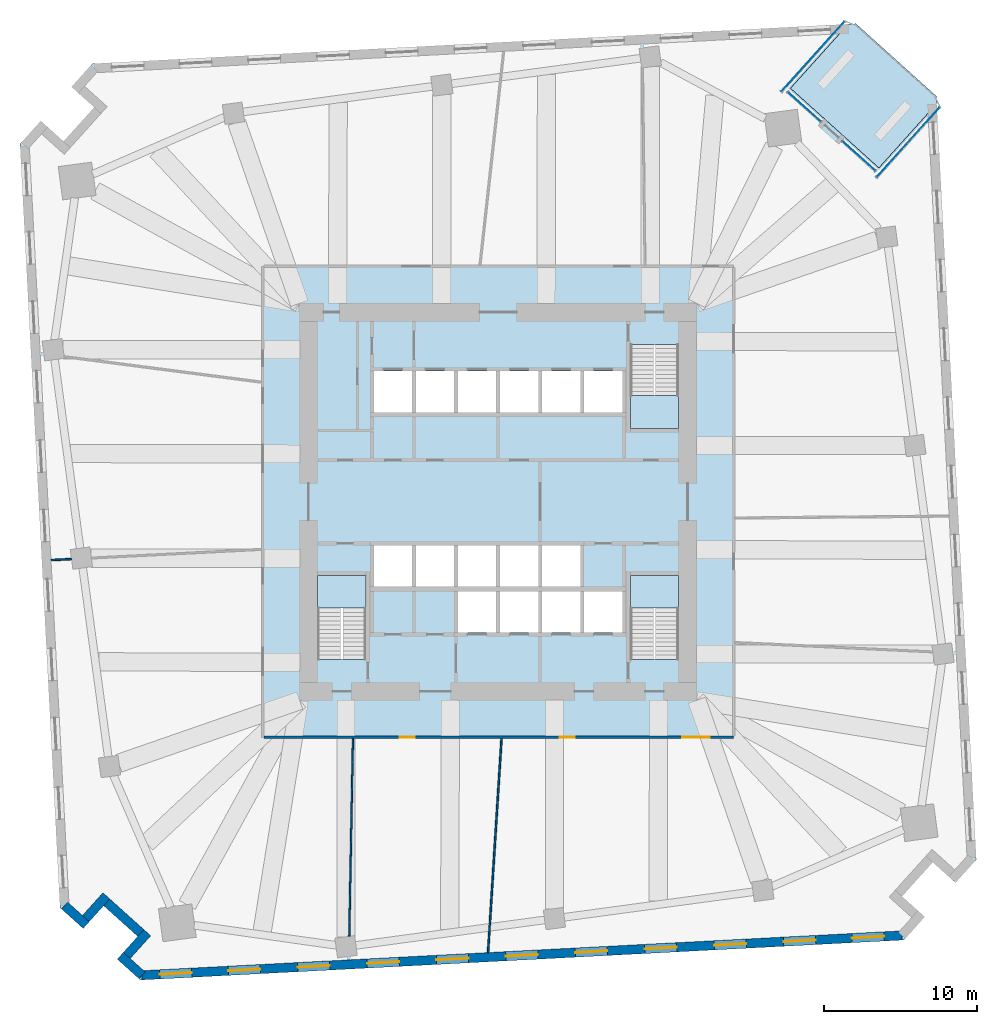
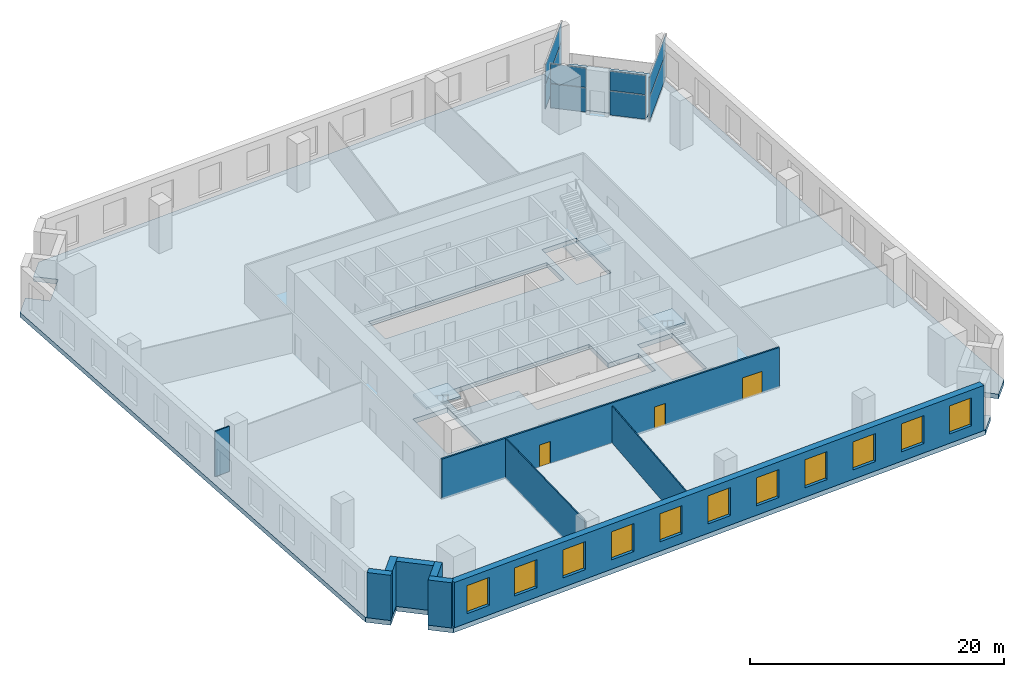
# One storey, part 3 of 10: 11 windows, 10 walls, 8 plates, 5 slabs, 3 doors, 14 openings, 7 elements without a shape of their own.
"""IFC4 building model written with IfcOpenShell, lengths in metres."""

from ifc_helpers import new_model, si_unit, direction, frame, frame_2d, origin, origin_2d, place, context, subcontext, project, spatial, polyline, rectangle, outline, extrude, material, layer, layer_set, type_object, element, fill, aggregate, save


model = new_model("IFC4")

# Units and contexts
model_context = context("Model", 3, precision=1e-05, world=origin(), true_north=direction((0.0, 1.0)))
body_context = subcontext(model_context, "Body", "Model", "MODEL_VIEW")
ifc_project = project(units=[si_unit("LENGTHUNIT", "METRE"), si_unit("AREAUNIT", "SQUARE_METRE"), si_unit("VOLUMEUNIT", "CUBIC_METRE"), si_unit("PLANEANGLEUNIT", "RADIAN"), si_unit("MASSUNIT", "GRAM", prefix="KILO")], contexts=[model_context])

# Site, building, storey
site_placement = place(None, origin())
site = spatial("IfcSite", under=ifc_project, at=site_placement, CompositionType="ELEMENT")
building_placement = place(site_placement, origin())
building = spatial("IfcBuilding", under=site, at=building_placement, Name="Dilmun Exchange Tower", CompositionType="ELEMENT")
storey_placement = place(building_placement, frame((0.0, 0.0, 32.10009765625)))
storey = spatial("IfcBuildingStorey", under=building, at=storey_placement, Name="L07", CompositionType="ELEMENT", Elevation=32.10009765625)

# Stair, slab
ifc_material_1 = material(Name="Concrete C40/50", Category="concrete")
stair_type = type_object("IfcStairType", Name="Exit stair 1500 half-turn", PredefinedType="HALF_TURN_STAIR", material=ifc_material_1)
stair_1_placement = place(storey_placement, origin())
stair_1 = element("IfcStair", 1, at=stair_1_placement, inside=storey, type_object=stair_type, Name="L07 Protected exit stair ST1", PredefinedType="HALF_TURN_STAIR")
ifc_layer_1 = layer(ifc_material_1, 0.199951171875)
ifc_layer_set_1 = layer_set([ifc_layer_1], Name="Concrete C40/50")
slab_type_1 = type_object("IfcSlabType", Name="Exit stair landing 200", PredefinedType="LANDING", material=ifc_layer_set_1)
slab_1_placement = place(storey_placement, frame((0.0, 0.0, 2.199951171875)))
slab_1 = element("IfcSlab", 2, at=slab_1_placement, type_object=slab_type_1, Name="ST1 landing 1", PredefinedType="LANDING", context=body_context, shape_type="SweptSolid", body=[
    extrude(outline(polyline([(8.64990234375, 6.93994140625), (8.64990234375, 4.800048828125), (11.800048828125, 4.800048828125), (11.800048828125, 6.93994140625), (8.64990234375, 6.93994140625)])), origin(), (0.0, 0.0, 1.0), 0.199951171875),
])
aggregate(stair_1, [slab_1])

stair_2_placement = place(storey_placement, origin())
stair_2 = element("IfcStair", 3, at=stair_2_placement, inside=storey, type_object=stair_type, Name="L07 Protected exit stair ST2", PredefinedType="HALF_TURN_STAIR")
slab_2_placement = place(storey_placement, frame((0.0, 0.0, 2.199951171875)))
slab_2 = element("IfcSlab", 4, at=slab_2_placement, type_object=slab_type_1, Name="ST2 landing 1", PredefinedType="LANDING", context=body_context, shape_type="SweptSolid", body=[
    extrude(outline(polyline([(-8.64990234375, -6.93994140625), (-8.64990234375, -4.800048828125), (-11.800048828125, -4.800048828125), (-11.800048828125, -6.93994140625), (-8.64990234375, -6.93994140625)])), origin(), (0.0, 0.0, 1.0), 0.199951171875),
])
aggregate(stair_2, [slab_2])

stair_3_placement = place(storey_placement, origin())
stair_3 = element("IfcStair", 5, at=stair_3_placement, inside=storey, type_object=stair_type, Name="L07 Protected exit stair ST3", PredefinedType="HALF_TURN_STAIR")
slab_3_placement = place(storey_placement, frame((0.0, 0.0, 2.199951171875)))
slab_3 = element("IfcSlab", 6, at=slab_3_placement, type_object=slab_type_1, Name="ST3 landing 1", PredefinedType="LANDING", context=body_context, shape_type="SweptSolid", body=[
    extrude(outline(polyline([(11.800048828125, -6.93994140625), (11.800048828125, -4.800048828125), (8.64990234375, -4.800048828125), (8.64990234375, -6.93994140625), (11.800048828125, -6.93994140625)])), origin(), (0.0, 0.0, 1.0), 0.199951171875),
])
aggregate(stair_3, [slab_3])

# Curtain wall, plates
ifc_material_2 = material(Name="Anodised aluminium and clear glass", Category="aluminium")
curtain_wall_type = type_object("IfcCurtainWallType", Name="Garden corner glazing", PredefinedType="NOTDEFINED", material=ifc_material_2)
curtain_wall_1_placement = place(storey_placement, origin())
curtain_wall_1 = element("IfcCurtainWall", 7, at=curtain_wall_1_placement, inside=storey, type_object=curtain_wall_type, Name="Garden corner glazing run GC1.1", PredefinedType="NOTDEFINED")
ifc_material_3 = material(Name="Clear glass", Category="glass")
ifc_layer_2 = layer(ifc_material_3, 0.028076171875)
ifc_layer_set_2 = layer_set([ifc_layer_2], Name="Clear glass")
plate_type = type_object("IfcPlateType", Name="Garden corner glazing glass panel 28", PredefinedType="CURTAIN_PANEL", material=ifc_layer_set_2)
plate_1_placement = place(storey_placement, frame((26.809814453125, 23.5146484375, 0.059814453125), z_axis=(0.0, 0.0, 1.0), x_axis=(-0.669124805296, -0.743150048737, 0.0)))
plate_1 = element("IfcPlate", 8, at=plate_1_placement, type_object=plate_type, Name="GC1.1 panel 1.1", PredefinedType="CURTAIN_PANEL", context=body_context, shape_type="SweptSolid", body=[
    extrude(rectangle(XDim=6.12646484375, YDim=0.028076171875, at=origin_2d()), origin(), (0.0, 0.0, 1.0), 2.31005859375),
])
plate_2_placement = place(storey_placement, frame((26.809814453125, 23.5146484375, 2.4296875), z_axis=(0.0, 0.0, 1.0), x_axis=(-0.669124805296, -0.743150048737, 0.0)))
plate_2 = element("IfcPlate", 9, at=plate_2_placement, type_object=plate_type, Name="GC1.1 panel 1.2", PredefinedType="CURTAIN_PANEL", context=body_context, shape_type="SweptSolid", body=[
    extrude(rectangle(XDim=6.12646484375, YDim=0.028076171875, at=origin_2d()), origin(), (0.0, 0.0, 1.0), 1.860107421875),
])
aggregate(curtain_wall_1, [plate_1, plate_2])

curtain_wall_2_placement = place(storey_placement, origin())
curtain_wall_2 = element("IfcCurtainWall", 10, at=curtain_wall_2_placement, inside=storey, type_object=curtain_wall_type, Name="Garden corner glazing run GC2.1", PredefinedType="NOTDEFINED")
plate_3_placement = place(storey_placement, frame((23.587158203125, 22.617431640625, 0.059814453125), z_axis=(0.0, 0.0, 1.0), x_axis=(-0.743139419367, 0.669136610404, 0.0)))
plate_3 = element("IfcPlate", 11, at=plate_3_placement, type_object=plate_type, Name="GC2.1 panel 1.1", PredefinedType="CURTAIN_PANEL", context=body_context, shape_type="SweptSolid", body=[
    extrude(rectangle(XDim=2.869140625, YDim=0.028076171875, at=origin_2d()), origin(), (0.0, 0.0, 1.0), 2.31005859375),
])
plate_4_placement = place(storey_placement, frame((23.587158203125, 22.617431640625, 2.4296875), z_axis=(0.0, 0.0, 1.0), x_axis=(-0.743139419367, 0.669136610404, 0.0)))
plate_4 = element("IfcPlate", 12, at=plate_4_placement, type_object=plate_type, Name="GC2.1 panel 1.2", PredefinedType="CURTAIN_PANEL", context=body_context, shape_type="SweptSolid", body=[
    extrude(rectangle(XDim=2.869140625, YDim=0.028076171875, at=origin_2d()), origin(), (0.0, 0.0, 1.0), 1.860107421875),
])
aggregate(curtain_wall_2, [plate_3, plate_4])

curtain_wall_3_placement = place(storey_placement, origin())
curtain_wall_3 = element("IfcCurtainWall", 13, at=curtain_wall_3_placement, inside=storey, type_object=curtain_wall_type, Name="Garden corner glazing run GC2.3", PredefinedType="NOTDEFINED")
plate_5_placement = place(storey_placement, frame((20.028076171875, 25.822021484375, 0.059814453125), z_axis=(0.0, 0.0, 1.0), x_axis=(-0.743156055484, 0.669118133962, 0.0)))
plate_5 = element("IfcPlate", 14, at=plate_5_placement, type_object=plate_type, Name="GC2.3 panel 1.1", PredefinedType="CURTAIN_PANEL", context=body_context, shape_type="SweptSolid", body=[
    extrude(rectangle(XDim=2.868896484375, YDim=0.028076171875, at=origin_2d()), origin(), (0.0, 0.0, 1.0), 2.31005859375),
])
plate_6_placement = place(storey_placement, frame((20.028076171875, 25.822021484375, 2.4296875), z_axis=(0.0, 0.0, 1.0), x_axis=(-0.743156055484, 0.669118133962, 0.0)))
plate_6 = element("IfcPlate", 15, at=plate_6_placement, type_object=plate_type, Name="GC2.3 panel 1.2", PredefinedType="CURTAIN_PANEL", context=body_context, shape_type="SweptSolid", body=[
    extrude(rectangle(XDim=2.868896484375, YDim=0.028076171875, at=origin_2d()), origin(), (0.0, 0.0, 1.0), 1.860107421875),
])
aggregate(curtain_wall_3, [plate_5, plate_6])

curtain_wall_4_placement = place(storey_placement, origin())
curtain_wall_4 = element("IfcCurtainWall", 16, at=curtain_wall_4_placement, inside=storey, type_object=curtain_wall_type, Name="Garden corner glazing run GC3.1", PredefinedType="NOTDEFINED")
plate_7_placement = place(storey_placement, frame((20.58349609375, 29.120849609375, 0.059814453125), z_axis=(0.0, 0.0, 1.0), x_axis=(0.669124805296, 0.743150048737, 0.0)))
plate_7 = element("IfcPlate", 17, at=plate_7_placement, type_object=plate_type, Name="GC3.1 panel 1.1", PredefinedType="CURTAIN_PANEL", context=body_context, shape_type="SweptSolid", body=[
    extrude(rectangle(XDim=6.12646484375, YDim=0.028076171875, at=origin_2d()), origin(), (0.0, 0.0, 1.0), 2.31005859375),
])
plate_8_placement = place(storey_placement, frame((20.58349609375, 29.120849609375, 2.4296875), z_axis=(0.0, 0.0, 1.0), x_axis=(0.669124805296, 0.743150048737, 0.0)))
plate_8 = element("IfcPlate", 18, at=plate_8_placement, type_object=plate_type, Name="GC3.1 panel 1.2", PredefinedType="CURTAIN_PANEL", context=body_context, shape_type="SweptSolid", body=[
    extrude(rectangle(XDim=6.12646484375, YDim=0.028076171875, at=origin_2d()), origin(), (0.0, 0.0, 1.0), 1.860107421875),
])
aggregate(curtain_wall_4, [plate_7, plate_8])

# Slabs
ifc_layer_3 = layer(ifc_material_1, 0.449951171875)
ifc_layer_set_3 = layer_set([ifc_layer_3], Name="Concrete C40/50")
slab_type_2 = type_object("IfcSlabType", Name="RC floor slab 450", PredefinedType="FLOOR", material=ifc_layer_set_3)
slab_4_placement = place(storey_placement, frame((0.0, 0.0, -0.4501953125)))
element("IfcSlab", 19, at=slab_4_placement, inside=storey, type_object=slab_type_2, Name="Floor slab", PredefinedType="FLOOR", context=body_context, shape_type="SweptSolid", body=[
    extrude(outline(polyline([(29.9052734375, -24.908447265625), (28.4189453125, -23.570068359375), (26.41162109375, -25.799560546875), (27.89794921875, -27.1376953125), (26.535888671875, -28.650390625), (-23.395751953125, -31.267333984375), (-24.908447265625, -29.9052734375), (-23.570068359375, -28.4189453125), (-25.799560546875, -26.41162109375), (-27.1376953125, -27.89794921875), (-28.650390625, -26.535888671875), (-31.267333984375, 23.395751953125), (-29.9052734375, 24.908447265625), (-28.4189453125, 23.570068359375), (-26.41162109375, 25.799560546875), (-27.89794921875, 27.1376953125), (-26.535888671875, 28.650390625), (22.896240234375, 31.2412109375), (19.1181640625, 27.044921875), (24.8984375, 21.84033203125), (28.6767578125, 26.03662109375), (31.267333984375, -23.395751953125), (29.9052734375, -24.908447265625)]), holes=[polyline([(-8.64990234375, -4.800048828125), (-11.800048828125, -4.800048828125), (-11.800048828125, -10.294921875), (-8.64990234375, -10.294921875), (-8.64990234375, -4.800048828125)]), polyline([(11.800048828125, -4.800048828125), (8.64990234375, -4.800048828125), (8.64990234375, -10.294921875), (11.800048828125, -10.294921875), (11.800048828125, -4.800048828125)]), polyline([(-8.125, -2.85009765625), (-8.125, -5.550048828125), (-2.625, -5.550048828125), (-2.625, -8.550048828125), (8.125, -8.550048828125), (8.125, -5.85009765625), (5.375, -5.85009765625), (5.375, -2.85009765625), (-8.125, -2.85009765625)]), polyline([(-8.125, 5.85009765625), (8.125, 5.85009765625), (8.125, 8.550048828125), (-8.125, 8.550048828125), (-8.125, 5.85009765625)]), polyline([(8.64990234375, 10.294921875), (8.64990234375, 4.800048828125), (11.800048828125, 4.800048828125), (11.800048828125, 10.294921875), (8.64990234375, 10.294921875)])]), origin(), (0.0, 0.0, 1.0), 0.4501953125),
])
ifc_layer_4 = layer(ifc_material_1, 0.300048828125)
ifc_layer_set_4 = layer_set([ifc_layer_4], Name="Concrete C40/50")
slab_type_3 = type_object("IfcSlabType", Name="RC garden terrace slab 300", PredefinedType="FLOOR", material=ifc_layer_set_4)
slab_5_placement = place(storey_placement, frame((0.0, 0.0, -0.300048828125)))
element("IfcSlab", 20, at=slab_5_placement, inside=storey, type_object=slab_type_3, Name="Garden terrace slab", PredefinedType="FLOOR", context=body_context, shape_type="SweptSolid", body=[
    extrude(outline(polyline([(19.1181640625, 27.044921875), (22.896240234375, 31.2412109375), (23.395751953125, 31.267333984375), (28.650390625, 26.535888671875), (28.6767578125, 26.03662109375), (24.8984375, 21.84033203125), (19.1181640625, 27.044921875)])), origin(), (0.0, 0.0, 1.0), 0.300048828125),
])

# Wall, openings, doors
ifc_material_4 = material(Name="Corridor wall 150")
ifc_layer_5 = layer(ifc_material_4, 0.14990234375)
ifc_layer_set_5 = layer_set([ifc_layer_5], Name="Corridor wall 150")
wall_type_1 = type_object("IfcWallType", Name="Corridor wall 150", PredefinedType="PARTITIONING", material=ifc_layer_set_5)
wall_1_placement = place(storey_placement, frame((-15.324951171875, -15.39990234375, 0.0), z_axis=(0.0, 0.0, 1.0), x_axis=(1.0, 0.0, 0.0)))
wall_1 = element("IfcWall", 21, at=wall_1_placement, inside=storey, type_object=wall_type_1, Name="Corridor wall", PredefinedType="PARTITIONING", context=body_context, shape_type="SweptSolid", body=[
    extrude(rectangle(XDim=30.724853515625, YDim=0.14990234375, at=frame_2d((15.3623046875, 0.0))), origin(), (0.0, 0.0, 1.0), 3.849853515625),
])
opening_1_placement = place(wall_1_placement, frame((8.88037109375, 0.0, 0.0)))
opening_1 = element("IfcOpeningElement", 22, at=opening_1_placement, cuts=wall_1, Name="Opening TF05-D07", PredefinedType="OPENING", context=body_context, shape_type="SweptSolid", body=[
    extrude(rectangle(XDim=1.0, YDim=2.10009765625, at=frame_2d((0.5, 1.050048828125))), frame((0.0, 0.0849609375, 0.0), z_axis=(0.0, -1.0, 0.0), x_axis=(1.0, 0.0, 0.0)), (0.0, 0.0, 1.0), 0.169921875),
])
opening_2_placement = place(wall_1_placement, frame((27.348388671875, 0.0, 0.0)))
opening_2 = element("IfcOpeningElement", 23, at=opening_2_placement, cuts=wall_1, Name="Opening TF05-D09", PredefinedType="OPENING", context=body_context, shape_type="SweptSolid", body=[
    extrude(rectangle(XDim=1.800048828125, YDim=2.10009765625, at=frame_2d((0.89990234375, 1.050048828125))), frame((0.0, 0.0849609375, 0.0), z_axis=(0.0, -1.0, 0.0), x_axis=(1.0, 0.0, 0.0)), (0.0, 0.0, 1.0), 0.169921875),
])
opening_3_placement = place(wall_1_placement, frame((19.348388671875, 0.0, 0.0)))
opening_3 = element("IfcOpeningElement", 24, at=opening_3_placement, cuts=wall_1, Name="Opening TF05-D10", PredefinedType="OPENING", context=body_context, shape_type="SweptSolid", body=[
    extrude(rectangle(XDim=1.0, YDim=2.10009765625, at=frame_2d((0.5, 1.050048828125))), frame((0.0, 0.0849609375, 0.0), z_axis=(0.0, -1.0, 0.0), x_axis=(1.0, 0.0, 0.0)), (0.0, 0.0, 1.0), 0.169921875),
])
ifc_material_5 = material(Name="Fire door 1000 x 2100")
door_type_1 = type_object("IfcDoorType", Name="Fire door 1000 x 2100", OperationType="NOTDEFINED", PredefinedType="DOOR", material=ifc_material_5)
door_1_placement = place(opening_1_placement, frame((1.0, 0.0, 0.0), z_axis=(0.0, 0.0, 1.0), x_axis=(-1.0, 0.0, 0.0)))
door_1 = element("IfcDoor", 25, at=door_1_placement, inside=storey, type_object=door_type_1, Name="Door TF05-D07", OperationType="SINGLE_SWING_LEFT", OverallHeight=2.10009765625, OverallWidth=1.0, PredefinedType="DOOR", context=body_context, shape_type="SweptSolid", body=[
    extrude(rectangle(XDim=1.0, YDim=2.10009765625, at=frame_2d((0.5, 1.050048828125))), frame((0.0, 0.02490234375, 0.0), z_axis=(0.0, -1.0, 0.0), x_axis=(1.0, 0.0, 0.0)), (0.0, 0.0, 1.0), 0.050048828125),
])
fill(opening_1, door_1)
door_2_placement = place(opening_3_placement, frame((1.0, 0.0, 0.0), z_axis=(0.0, 0.0, 1.0), x_axis=(-1.0, 0.0, 0.0)))
door_2 = element("IfcDoor", 26, at=door_2_placement, inside=storey, type_object=door_type_1, Name="Door TF05-D10", OperationType="SINGLE_SWING_RIGHT", OverallHeight=2.10009765625, OverallWidth=1.0, PredefinedType="DOOR", context=body_context, shape_type="SweptSolid", body=[
    extrude(rectangle(XDim=1.0, YDim=2.10009765625, at=frame_2d((0.5, 1.050048828125))), frame((0.0, 0.02490234375, 0.0), z_axis=(0.0, -1.0, 0.0), x_axis=(1.0, 0.0, 0.0)), (0.0, 0.0, 1.0), 0.050048828125),
])
fill(opening_3, door_2)
ifc_material_6 = material(Name="Fire door pair 1800 x 2100")
door_type_2 = type_object("IfcDoorType", Name="Fire door pair 1800 x 2100", OperationType="NOTDEFINED", PredefinedType="DOOR", material=ifc_material_6)
door_3_placement = place(opening_2_placement, frame((1.800048828125, 0.0, 0.0), z_axis=(0.0, 0.0, 1.0), x_axis=(-1.0, 0.0, 0.0)))
door_3 = element("IfcDoor", 27, at=door_3_placement, inside=storey, type_object=door_type_2, Name="Door TF05-D09", OperationType="DOUBLE_DOOR_SINGLE_SWING", OverallHeight=2.10009765625, OverallWidth=1.800048828125, PredefinedType="DOOR", context=body_context, shape_type="SweptSolid", body=[
    extrude(rectangle(XDim=1.800048828125, YDim=2.10009765625, at=frame_2d((0.89990234375, 1.050048828125))), frame((0.0, 0.02490234375, 0.0), z_axis=(0.0, -1.0, 0.0), x_axis=(1.0, 0.0, 0.0)), (0.0, 0.0, 1.0), 0.050048828125),
])
fill(opening_2, door_3)

# Walls
ifc_material_7 = material(Name="Partition 100")
ifc_layer_6 = layer(ifc_material_7, 0.10009765625)
ifc_layer_set_6 = layer_set([ifc_layer_6], Name="Partition 100")
wall_type_2 = type_object("IfcWallType", Name="Partition 100", PredefinedType="PARTITIONING", material=ifc_layer_set_6)
wall_2_placement = place(storey_placement, frame((-29.23876953125, -3.809326171875, 0.0), z_axis=(0.0, 0.0, 1.0), x_axis=(0.998716183263, 0.050655555363, 0.0)))
element("IfcWall", 28, at=wall_2_placement, inside=storey, type_object=wall_type_2, Name="Partition", PredefinedType="PARTITIONING", context=body_context, shape_type="SweptSolid", body=[
    extrude(rectangle(XDim=1.33984375, YDim=0.10009765625, at=frame_2d((0.669921875, 0.0))), origin(), (0.0, 0.0, 1.0), 4.349853515625),
])
wall_3_placement = place(storey_placement, frame((-9.73779296875, -28.4091796875, 0.0), z_axis=(0.0, 0.0, 1.0), x_axis=(0.01874139866, 0.999824364564, 0.0)))
element("IfcWall", 29, at=wall_3_placement, inside=storey, type_object=wall_type_2, Name="Partition", PredefinedType="PARTITIONING", context=body_context, shape_type="SweptSolid", body=[
    extrude(rectangle(XDim=12.935546875, YDim=0.10009765625, at=frame_2d((6.4677734375, 0.0))), origin(), (0.0, 0.0, 1.0), 3.849853515625),
])
wall_4_placement = place(storey_placement, frame((-0.661865234375, -29.472900390625, 0.0), z_axis=(0.0, 0.0, 1.0), x_axis=(0.06297334424, 0.99801520926, 0.0)))
element("IfcWall", 30, at=wall_4_placement, inside=storey, type_object=wall_type_2, Name="Partition", PredefinedType="PARTITIONING", context=body_context, shape_type="SweptSolid", body=[
    extrude(rectangle(XDim=14.022705078125, YDim=0.10009765625, at=frame_2d((7.01123046875, 0.0))), origin(), (0.0, 0.0, 1.0), 3.5498046875),
])
ifc_material_8 = material(Name="Precast concrete C50/60", Category="concrete")
ifc_layer_7 = layer(ifc_material_8, 0.60009765625)
ifc_layer_set_7 = layer_set([ifc_layer_7], Name="Precast concrete C50/60")
wall_type_3 = type_object("IfcWallType", Name="Precast stone-clad wall 600", PredefinedType="STANDARD", material=ifc_layer_set_7)
wall_5_placement = place(storey_placement, frame((-28.357421875, -26.39599609375, 0.0), z_axis=(0.0, 0.0, 1.0), x_axis=(0.743179806334, -0.669091754139, 0.0)))
element("IfcWall", 31, at=wall_5_placement, inside=storey, type_object=wall_type_3, Name="Facade wall L07-10", PredefinedType="STANDARD", context=body_context, shape_type="SweptSolid", body=[
    extrude(rectangle(XDim=1.911376953125, YDim=0.60009765625, at=frame_2d((0.95556640625, 0.0))), origin(), (0.0, 0.0, 1.0), 4.349853515625),
])
wall_6_placement = place(storey_placement, frame((-26.959228515625, -27.251220703125, 0.0), z_axis=(0.0, 0.0, 1.0), x_axis=(0.669086121991, 0.743184876971, 0.0)))
element("IfcWall", 32, at=wall_6_placement, inside=storey, type_object=wall_type_3, Name="Facade wall L07-11", PredefinedType="STANDARD", context=body_context, shape_type="SweptSolid", body=[
    extrude(rectangle(XDim=2.0, YDim=0.60009765625, at=frame_2d((1.0, 0.0))), origin(), (0.0, 0.0, 1.0), 4.349853515625),
])
wall_7_placement = place(storey_placement, frame((-25.598876953125, -26.188720703125, 0.0), z_axis=(0.0, 0.0, 1.0), x_axis=(0.743164643271, -0.669108595814, 0.0)))
element("IfcWall", 33, at=wall_7_placement, inside=storey, type_object=wall_type_3, Name="Facade wall L07-12", PredefinedType="STANDARD", context=body_context, shape_type="SweptSolid", body=[
    extrude(rectangle(XDim=3.0, YDim=0.60009765625, at=frame_2d((1.5, 0.0))), origin(), (0.0, 0.0, 1.0), 4.349853515625),
])
wall_8_placement = place(storey_placement, frame((-22.94580078125, -28.173828125, 0.0), z_axis=(0.0, 0.0, 1.0), x_axis=(-0.669086121991, -0.743184876971, 0.0)))
element("IfcWall", 34, at=wall_8_placement, inside=storey, type_object=wall_type_3, Name="Facade wall L07-13", PredefinedType="STANDARD", context=body_context, shape_type="SweptSolid", body=[
    extrude(rectangle(XDim=2.0, YDim=0.60009765625, at=frame_2d((1.0, 0.0))), origin(), (0.0, 0.0, 1.0), 4.349853515625),
])
wall_9_placement = place(storey_placement, frame((-24.70751953125, -29.682373046875, 0.0), z_axis=(0.0, 0.0, 1.0), x_axis=(0.743122611951, -0.669155276156, 0.0)))
element("IfcWall", 35, at=wall_9_placement, inside=storey, type_object=wall_type_3, Name="Facade wall L07-14", PredefinedType="STANDARD", context=body_context, shape_type="SweptSolid", body=[
    extrude(rectangle(XDim=1.9111328125, YDim=0.60009765625, at=frame_2d((0.95556640625, 0.0))), origin(), (0.0, 0.0, 1.0), 4.349853515625),
])

# Wall, openings, windows
wall_10_placement = place(storey_placement, frame((-23.287353515625, -30.961181640625, 0.0), z_axis=(0.0, 0.0, 1.0), x_axis=(0.998629570739, 0.052335269612, 0.0)))
wall_10 = element("IfcWall", 36, at=wall_10_placement, inside=storey, type_object=wall_type_3, Name="Facade wall L07-15", PredefinedType="STANDARD", context=body_context, shape_type="SweptSolid", body=[
    extrude(rectangle(XDim=49.75146484375, YDim=0.60009765625, at=frame_2d((24.875732421875, 0.0))), origin(), (0.0, 0.0, 1.0), 4.349853515625),
])
opening_4_placement = place(wall_10_placement, frame((1.16064453125, 0.0, 0.89990234375)))
opening_4 = element("IfcOpeningElement", 37, at=opening_4_placement, cuts=wall_10, Name="Opening W210-270", PredefinedType="OPENING", context=body_context, shape_type="SweptSolid", body=[
    extrude(rectangle(XDim=2.10009765625, YDim=2.699951171875, at=frame_2d((1.050048828125, 1.35009765625))), frame((0.0, 0.31005859375, 0.0), z_axis=(0.0, -1.0, 0.0), x_axis=(1.0, 0.0, 0.0)), (0.0, 0.0, 1.0), 0.6201171875),
])
opening_5_placement = place(wall_10_placement, frame((5.643798828125, 0.0, 0.89990234375)))
opening_5 = element("IfcOpeningElement", 38, at=opening_5_placement, cuts=wall_10, Name="Opening W210-270", PredefinedType="OPENING", context=body_context, shape_type="SweptSolid", body=[
    extrude(rectangle(XDim=2.10009765625, YDim=2.699951171875, at=frame_2d((1.050048828125, 1.35009765625))), frame((0.0, 0.31005859375, 0.0), z_axis=(0.0, -1.0, 0.0), x_axis=(1.0, 0.0, 0.0)), (0.0, 0.0, 1.0), 0.6201171875),
])
opening_6_placement = place(wall_10_placement, frame((10.189453125, 0.0, 0.89990234375)))
opening_6 = element("IfcOpeningElement", 39, at=opening_6_placement, cuts=wall_10, Name="Opening W210-270", PredefinedType="OPENING", context=body_context, shape_type="SweptSolid", body=[
    extrude(rectangle(XDim=2.10009765625, YDim=2.699951171875, at=frame_2d((1.050048828125, 1.35009765625))), frame((0.0, 0.31005859375, 0.0), z_axis=(0.0, -1.0, 0.0), x_axis=(1.0, 0.0, 0.0)), (0.0, 0.0, 1.0), 0.6201171875),
])
opening_7_placement = place(wall_10_placement, frame((14.73486328125, 0.0, 0.89990234375)))
opening_7 = element("IfcOpeningElement", 40, at=opening_7_placement, cuts=wall_10, Name="Opening W210-270", PredefinedType="OPENING", context=body_context, shape_type="SweptSolid", body=[
    extrude(rectangle(XDim=2.10009765625, YDim=2.699951171875, at=frame_2d((1.050048828125, 1.35009765625))), frame((0.0, 0.31005859375, 0.0), z_axis=(0.0, -1.0, 0.0), x_axis=(1.0, 0.0, 0.0)), (0.0, 0.0, 1.0), 0.6201171875),
])
opening_8_placement = place(wall_10_placement, frame((19.2802734375, 0.0, 0.89990234375)))
opening_8 = element("IfcOpeningElement", 41, at=opening_8_placement, cuts=wall_10, Name="Opening W210-270", PredefinedType="OPENING", context=body_context, shape_type="SweptSolid", body=[
    extrude(rectangle(XDim=2.10009765625, YDim=2.699951171875, at=frame_2d((1.050048828125, 1.35009765625))), frame((0.0, 0.31005859375, 0.0), z_axis=(0.0, -1.0, 0.0), x_axis=(1.0, 0.0, 0.0)), (0.0, 0.0, 1.0), 0.6201171875),
])
opening_9_placement = place(wall_10_placement, frame((23.82568359375, 0.0, 0.89990234375)))
opening_9 = element("IfcOpeningElement", 42, at=opening_9_placement, cuts=wall_10, Name="Opening W210-270", PredefinedType="OPENING", context=body_context, shape_type="SweptSolid", body=[
    extrude(rectangle(XDim=2.10009765625, YDim=2.699951171875, at=frame_2d((1.050048828125, 1.35009765625))), frame((0.0, 0.31005859375, 0.0), z_axis=(0.0, -1.0, 0.0), x_axis=(1.0, 0.0, 0.0)), (0.0, 0.0, 1.0), 0.6201171875),
])
opening_10_placement = place(wall_10_placement, frame((28.37109375, 0.0, 0.89990234375)))
opening_10 = element("IfcOpeningElement", 43, at=opening_10_placement, cuts=wall_10, Name="Opening W210-270", PredefinedType="OPENING", context=body_context, shape_type="SweptSolid", body=[
    extrude(rectangle(XDim=2.10009765625, YDim=2.699951171875, at=frame_2d((1.050048828125, 1.35009765625))), frame((0.0, 0.31005859375, 0.0), z_axis=(0.0, -1.0, 0.0), x_axis=(1.0, 0.0, 0.0)), (0.0, 0.0, 1.0), 0.6201171875),
])
opening_11_placement = place(wall_10_placement, frame((32.91650390625, 0.0, 0.89990234375)))
opening_11 = element("IfcOpeningElement", 44, at=opening_11_placement, cuts=wall_10, Name="Opening W210-270", PredefinedType="OPENING", context=body_context, shape_type="SweptSolid", body=[
    extrude(rectangle(XDim=2.10009765625, YDim=2.699951171875, at=frame_2d((1.050048828125, 1.35009765625))), frame((0.0, 0.31005859375, 0.0), z_axis=(0.0, -1.0, 0.0), x_axis=(1.0, 0.0, 0.0)), (0.0, 0.0, 1.0), 0.6201171875),
])
opening_12_placement = place(wall_10_placement, frame((37.462158203125, 0.0, 0.89990234375)))
opening_12 = element("IfcOpeningElement", 45, at=opening_12_placement, cuts=wall_10, Name="Opening W210-270", PredefinedType="OPENING", context=body_context, shape_type="SweptSolid", body=[
    extrude(rectangle(XDim=2.10009765625, YDim=2.699951171875, at=frame_2d((1.050048828125, 1.35009765625))), frame((0.0, 0.31005859375, 0.0), z_axis=(0.0, -1.0, 0.0), x_axis=(1.0, 0.0, 0.0)), (0.0, 0.0, 1.0), 0.6201171875),
])
opening_13_placement = place(wall_10_placement, frame((42.007568359375, 0.0, 0.89990234375)))
opening_13 = element("IfcOpeningElement", 46, at=opening_13_placement, cuts=wall_10, Name="Opening W210-270", PredefinedType="OPENING", context=body_context, shape_type="SweptSolid", body=[
    extrude(rectangle(XDim=2.10009765625, YDim=2.699951171875, at=frame_2d((1.050048828125, 1.35009765625))), frame((0.0, 0.31005859375, 0.0), z_axis=(0.0, -1.0, 0.0), x_axis=(1.0, 0.0, 0.0)), (0.0, 0.0, 1.0), 0.6201171875),
])
opening_14_placement = place(wall_10_placement, frame((46.490966796875, 0.0, 0.89990234375)))
opening_14 = element("IfcOpeningElement", 47, at=opening_14_placement, cuts=wall_10, Name="Opening W210-270", PredefinedType="OPENING", context=body_context, shape_type="SweptSolid", body=[
    extrude(rectangle(XDim=2.10009765625, YDim=2.699951171875, at=frame_2d((1.050048828125, 1.35009765625))), frame((0.0, 0.31005859375, 0.0), z_axis=(0.0, -1.0, 0.0), x_axis=(1.0, 0.0, 0.0)), (0.0, 0.0, 1.0), 0.6201171875),
])
ifc_material_9 = material(Name="Clear low-emissivity glass in aluminium frame", Category="aluminium")
window_type = type_object("IfcWindowType", Name="Punched window 2100 x 2700", PartitioningType="DOUBLE_PANEL_VERTICAL", PredefinedType="WINDOW", material=ifc_material_9)
window_1_placement = place(opening_4_placement, origin())
window_1 = element("IfcWindow", 48, at=window_1_placement, inside=storey, type_object=window_type, Name="Window 16.1", OverallHeight=2.699951171875, OverallWidth=2.10009765625, PartitioningType="SINGLE_PANEL", PredefinedType="WINDOW", context=body_context, shape_type="SweptSolid", body=[
    extrude(rectangle(XDim=2.10009765625, YDim=2.699951171875, at=frame_2d((1.050048828125, 1.35009765625))), frame((0.0, 0.030029296875, 0.0), z_axis=(0.0, -1.0, 0.0), x_axis=(1.0, 0.0, 0.0)), (0.0, 0.0, 1.0), 0.06005859375),
])
fill(opening_4, window_1)
window_2_placement = place(opening_5_placement, origin())
window_2 = element("IfcWindow", 49, at=window_2_placement, inside=storey, type_object=window_type, Name="Window 16.2", OverallHeight=2.699951171875, OverallWidth=2.10009765625, PartitioningType="SINGLE_PANEL", PredefinedType="WINDOW", context=body_context, shape_type="SweptSolid", body=[
    extrude(rectangle(XDim=2.10009765625, YDim=2.699951171875, at=frame_2d((1.050048828125, 1.35009765625))), frame((0.0, 0.030029296875, 0.0), z_axis=(0.0, -1.0, 0.0), x_axis=(1.0, 0.0, 0.0)), (0.0, 0.0, 1.0), 0.06005859375),
])
fill(opening_5, window_2)
window_3_placement = place(opening_6_placement, origin())
window_3 = element("IfcWindow", 50, at=window_3_placement, inside=storey, type_object=window_type, Name="Window 16.3", OverallHeight=2.699951171875, OverallWidth=2.10009765625, PartitioningType="SINGLE_PANEL", PredefinedType="WINDOW", context=body_context, shape_type="SweptSolid", body=[
    extrude(rectangle(XDim=2.10009765625, YDim=2.699951171875, at=frame_2d((1.050048828125, 1.35009765625))), frame((0.0, 0.030029296875, 0.0), z_axis=(0.0, -1.0, 0.0), x_axis=(1.0, 0.0, 0.0)), (0.0, 0.0, 1.0), 0.06005859375),
])
fill(opening_6, window_3)
window_4_placement = place(opening_7_placement, origin())
window_4 = element("IfcWindow", 51, at=window_4_placement, inside=storey, type_object=window_type, Name="Window 16.4", OverallHeight=2.699951171875, OverallWidth=2.10009765625, PartitioningType="SINGLE_PANEL", PredefinedType="WINDOW", context=body_context, shape_type="SweptSolid", body=[
    extrude(rectangle(XDim=2.10009765625, YDim=2.699951171875, at=frame_2d((1.050048828125, 1.35009765625))), frame((0.0, 0.030029296875, 0.0), z_axis=(0.0, -1.0, 0.0), x_axis=(1.0, 0.0, 0.0)), (0.0, 0.0, 1.0), 0.06005859375),
])
fill(opening_7, window_4)
window_5_placement = place(opening_8_placement, origin())
window_5 = element("IfcWindow", 52, at=window_5_placement, inside=storey, type_object=window_type, Name="Window 16.5", OverallHeight=2.699951171875, OverallWidth=2.10009765625, PartitioningType="SINGLE_PANEL", PredefinedType="WINDOW", context=body_context, shape_type="SweptSolid", body=[
    extrude(rectangle(XDim=2.10009765625, YDim=2.699951171875, at=frame_2d((1.050048828125, 1.35009765625))), frame((0.0, 0.030029296875, 0.0), z_axis=(0.0, -1.0, 0.0), x_axis=(1.0, 0.0, 0.0)), (0.0, 0.0, 1.0), 0.06005859375),
])
fill(opening_8, window_5)
window_6_placement = place(opening_9_placement, origin())
window_6 = element("IfcWindow", 53, at=window_6_placement, inside=storey, type_object=window_type, Name="Window 16.6", OverallHeight=2.699951171875, OverallWidth=2.10009765625, PartitioningType="SINGLE_PANEL", PredefinedType="WINDOW", context=body_context, shape_type="SweptSolid", body=[
    extrude(rectangle(XDim=2.10009765625, YDim=2.699951171875, at=frame_2d((1.050048828125, 1.35009765625))), frame((0.0, 0.030029296875, 0.0), z_axis=(0.0, -1.0, 0.0), x_axis=(1.0, 0.0, 0.0)), (0.0, 0.0, 1.0), 0.06005859375),
])
fill(opening_9, window_6)
window_7_placement = place(opening_10_placement, origin())
window_7 = element("IfcWindow", 54, at=window_7_placement, inside=storey, type_object=window_type, Name="Window 16.7", OverallHeight=2.699951171875, OverallWidth=2.10009765625, PartitioningType="SINGLE_PANEL", PredefinedType="WINDOW", context=body_context, shape_type="SweptSolid", body=[
    extrude(rectangle(XDim=2.10009765625, YDim=2.699951171875, at=frame_2d((1.050048828125, 1.35009765625))), frame((0.0, 0.030029296875, 0.0), z_axis=(0.0, -1.0, 0.0), x_axis=(1.0, 0.0, 0.0)), (0.0, 0.0, 1.0), 0.06005859375),
])
fill(opening_10, window_7)
window_8_placement = place(opening_11_placement, origin())
window_8 = element("IfcWindow", 55, at=window_8_placement, inside=storey, type_object=window_type, Name="Window 16.8", OverallHeight=2.699951171875, OverallWidth=2.10009765625, PartitioningType="SINGLE_PANEL", PredefinedType="WINDOW", context=body_context, shape_type="SweptSolid", body=[
    extrude(rectangle(XDim=2.10009765625, YDim=2.699951171875, at=frame_2d((1.050048828125, 1.35009765625))), frame((0.0, 0.030029296875, 0.0), z_axis=(0.0, -1.0, 0.0), x_axis=(1.0, 0.0, 0.0)), (0.0, 0.0, 1.0), 0.06005859375),
])
fill(opening_11, window_8)
window_9_placement = place(opening_12_placement, origin())
window_9 = element("IfcWindow", 56, at=window_9_placement, inside=storey, type_object=window_type, Name="Window 16.9", OverallHeight=2.699951171875, OverallWidth=2.10009765625, PartitioningType="SINGLE_PANEL", PredefinedType="WINDOW", context=body_context, shape_type="SweptSolid", body=[
    extrude(rectangle(XDim=2.10009765625, YDim=2.699951171875, at=frame_2d((1.050048828125, 1.35009765625))), frame((0.0, 0.030029296875, 0.0), z_axis=(0.0, -1.0, 0.0), x_axis=(1.0, 0.0, 0.0)), (0.0, 0.0, 1.0), 0.06005859375),
])
fill(opening_12, window_9)
window_10_placement = place(opening_13_placement, origin())
window_10 = element("IfcWindow", 57, at=window_10_placement, inside=storey, type_object=window_type, Name="Window 16.10", OverallHeight=2.699951171875, OverallWidth=2.10009765625, PartitioningType="SINGLE_PANEL", PredefinedType="WINDOW", context=body_context, shape_type="SweptSolid", body=[
    extrude(rectangle(XDim=2.10009765625, YDim=2.699951171875, at=frame_2d((1.050048828125, 1.35009765625))), frame((0.0, 0.030029296875, 0.0), z_axis=(0.0, -1.0, 0.0), x_axis=(1.0, 0.0, 0.0)), (0.0, 0.0, 1.0), 0.06005859375),
])
fill(opening_13, window_10)
window_11_placement = place(opening_14_placement, origin())
window_11 = element("IfcWindow", 58, at=window_11_placement, inside=storey, type_object=window_type, Name="Window 16.11", OverallHeight=2.699951171875, OverallWidth=2.10009765625, PartitioningType="SINGLE_PANEL", PredefinedType="WINDOW", context=body_context, shape_type="SweptSolid", body=[
    extrude(rectangle(XDim=2.10009765625, YDim=2.699951171875, at=frame_2d((1.050048828125, 1.35009765625))), frame((0.0, 0.030029296875, 0.0), z_axis=(0.0, -1.0, 0.0), x_axis=(1.0, 0.0, 0.0)), (0.0, 0.0, 1.0), 0.06005859375),
])
fill(opening_14, window_11)

save(model, "model.ifc")
